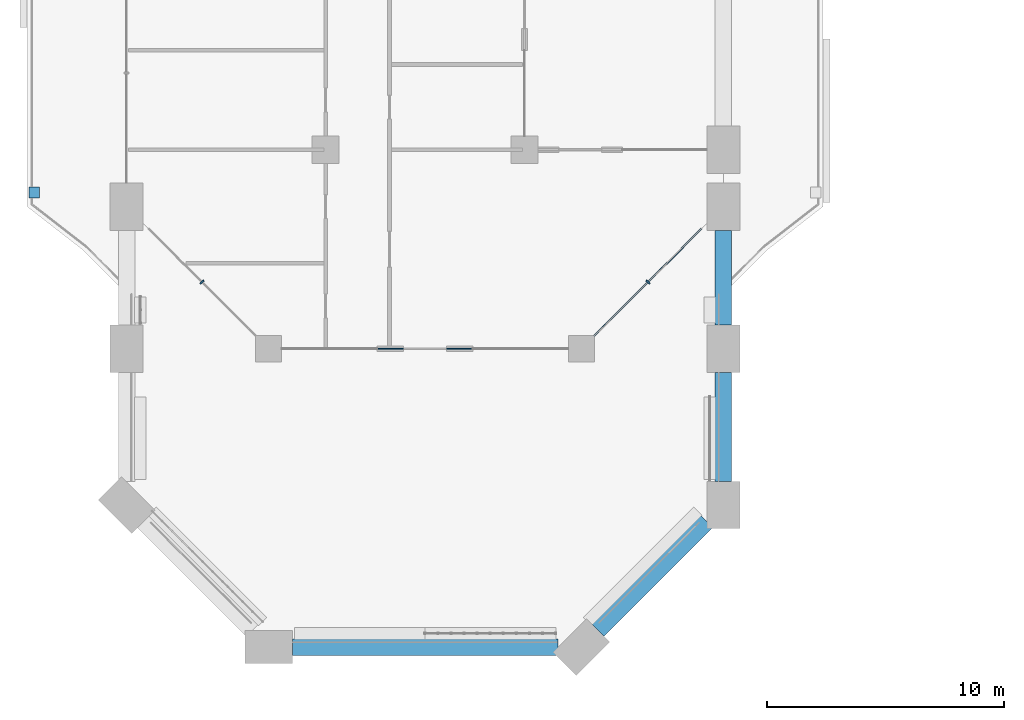
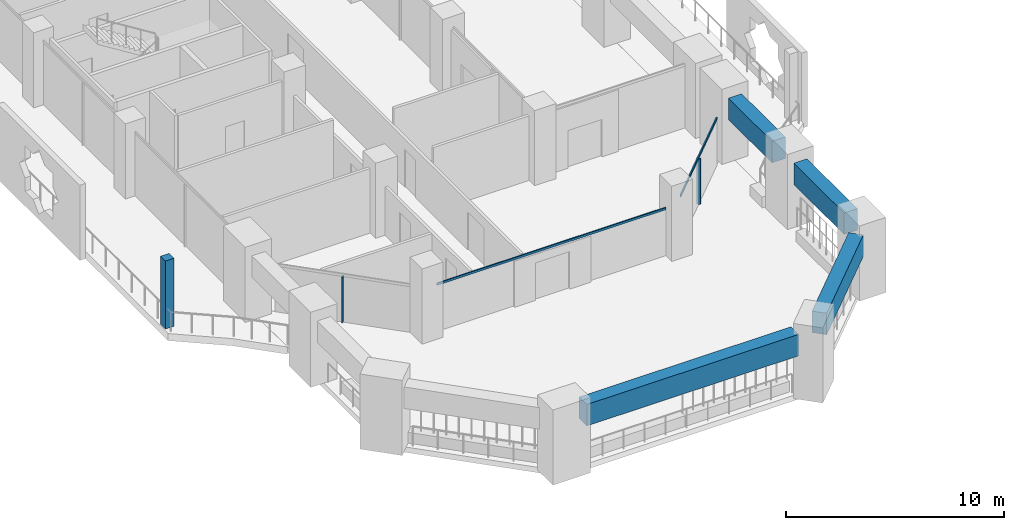
# One storey, part 2 of 25: 5 members, 4 beams, 4 elements without a shape of their own.
"""IFC4 building model written with IfcOpenShell, lengths in metres."""

from ifc_helpers import new_model, si_unit, direction, frame, origin, origin_2d, place, context, subcontext, project, spatial, rectangle, extrude, material, layer, layer_set, material_profile, profile_set, type_object, element, aggregate, save


model = new_model("IFC4")

# Units and contexts
model_context = context("Model", 3, precision=1e-05, world=origin(), true_north=direction((0.0, 1.0)))
body_context = subcontext(model_context, "Body", "Model", "MODEL_VIEW")
ifc_project = project(units=[si_unit("LENGTHUNIT", "METRE"), si_unit("AREAUNIT", "SQUARE_METRE"), si_unit("VOLUMEUNIT", "CUBIC_METRE"), si_unit("PLANEANGLEUNIT", "RADIAN"), si_unit("MASSUNIT", "GRAM", prefix="KILO")], contexts=[model_context])

# Site, building, storey
site_placement = place(None, origin())
site = spatial("IfcSite", under=ifc_project, at=site_placement, CompositionType="ELEMENT")
building_placement = place(site_placement, origin())
building = spatial("IfcBuilding", under=site, at=building_placement, Name="Kawkab Arch Medical Tower", CompositionType="ELEMENT")
storey_placement = place(building_placement, frame((0.0, 0.0, 98.800048828125)))
storey = spatial("IfcBuildingStorey", under=building, at=storey_placement, Name="L22", CompositionType="ELEMENT", Elevation=98.800048828125)

# Curtain wall, member
ifc_material_1 = material(Name="Bronze anodised aluminium curtain wall frame", Category="aluminium")
ifc_layer_1 = layer(ifc_material_1, 0.159912109375)
ifc_layer_set_1 = layer_set([ifc_layer_1], Name="Bronze anodised aluminium curtain wall frame")
curtain_wall_type_1 = type_object("IfcCurtainWallType", Name="CW1 ward curtain wall", PredefinedType="NOTDEFINED", material=ifc_layer_set_1)
placement = place(storey_placement, origin())
curtain_wall_1 = element("IfcCurtainWall", 1, at=placement, inside=storey, type_object=curtain_wall_type_1, Name="CW1 Ward curtain wall R15", PredefinedType="NOTDEFINED")
ifc_material_2 = material(Name="Bronze anodised aluminium curtain wall frame", Category="aluminium")
ifc_material_profile_1 = material_profile(ifc_material_2, rectangle(XDim=0.06005859375, YDim=0.1201171875, at=origin_2d()), Name="AL 60x120")
ifc_profile_set_1 = profile_set([ifc_material_profile_1], Name="Bronze anodised aluminium curtain wall frame")
member_type_1 = type_object("IfcMemberType", Name="CW1 transom 120 x 60", PredefinedType="USERDEFINED", material=ifc_profile_set_1)
member_1_placement = place(storey_placement, frame((6.550048828125, -58.800048828125, 2.639892578125), z_axis=(1.0, 0.0, 0.0), x_axis=(0.0, 1.0, 0.0)))
member_1 = element("IfcMember", 2, at=member_1_placement, type_object=member_type_1, Name="CW1 transom 1", ObjectType="TRANSOM", PredefinedType="USERDEFINED", context=body_context, shape_type="SweptSolid", body=[
    extrude(rectangle(XDim=0.06005859375, YDim=0.1201171875, at=origin_2d()), origin(), (0.0, 0.0, 1.0), 12.099853515625),
])
aggregate(curtain_wall_1, [member_1])

ifc_material_3 = material(Name="Bronze anodised aluminium curtain wall frame", Category="aluminium")
ifc_layer_2 = layer(ifc_material_3, 0.159912109375)
ifc_layer_set_2 = layer_set([ifc_layer_2], Name="Bronze anodised aluminium curtain wall frame")
curtain_wall_type_2 = type_object("IfcCurtainWallType", Name="CW2 chamfer curtain wall", PredefinedType="NOTDEFINED", material=ifc_layer_set_2)
curtain_wall_2 = element("IfcCurtainWall", 3, at=placement, inside=storey, type_object=curtain_wall_type_2, Name="CW2 Chamfer curtain wall R14", PredefinedType="NOTDEFINED")
ifc_material_4 = material(Name="Bronze anodised aluminium curtain wall frame", Category="aluminium")
ifc_material_profile_2 = material_profile(ifc_material_4, rectangle(XDim=0.199951171875, YDim=0.06005859375, at=origin_2d()), Name="AL 60x200")
ifc_profile_set_2 = profile_set([ifc_material_profile_2], Name="Bronze anodised aluminium curtain wall frame")
member_type_2 = type_object("IfcMemberType", Name="CW2 mullion 60 x 200", PredefinedType="MULLION", material=ifc_profile_set_2)
member_2_placement = place(storey_placement, frame((3.190185546875, -55.990234375, 0.0), z_axis=(0.0, 0.0, 1.0), x_axis=(0.707106781187, 0.707106781187, 0.0)))
member_2 = element("IfcMember", 4, at=member_2_placement, type_object=member_type_2, Name="CW2 mullion 1.1", PredefinedType="MULLION", context=body_context, shape_type="SweptSolid", body=[
    extrude(rectangle(XDim=0.199951171875, YDim=0.06005859375, at=origin_2d()), origin(), (0.0, 0.0, 1.0), 2.56005859375),
])
aggregate(curtain_wall_2, [member_2])

# Curtain wall, members
curtain_wall_3 = element("IfcCurtainWall", 5, at=placement, inside=storey, type_object=curtain_wall_type_2, Name="CW2 Chamfer curtain wall R16", PredefinedType="NOTDEFINED")
member_3_placement = place(storey_placement, frame((22.009765625, -55.990234375, 0.0), z_axis=(0.0, 0.0, 1.0), x_axis=(-0.707106781187, 0.707106781187, 0.0)))
member_3 = element("IfcMember", 6, at=member_3_placement, type_object=member_type_2, Name="CW2 mullion 1.1", PredefinedType="MULLION", context=body_context, shape_type="SweptSolid", body=[
    extrude(rectangle(XDim=0.199951171875, YDim=0.06005859375, at=origin_2d()), origin(), (0.0, 0.0, 1.0), 2.56005859375),
])
ifc_material_5 = material(Name="Bronze anodised aluminium curtain wall frame", Category="aluminium")
ifc_material_profile_3 = material_profile(ifc_material_5, rectangle(XDim=0.06005859375, YDim=0.139892578125, at=origin_2d()), Name="AL 60x140")
ifc_profile_set_3 = profile_set([ifc_material_profile_3], Name="Bronze anodised aluminium curtain wall frame")
member_type_3 = type_object("IfcMemberType", Name="CW2 transom 140 x 60", PredefinedType="USERDEFINED", material=ifc_profile_set_3)
member_4_placement = place(storey_placement, frame((19.75, -58.25, 2.6298828125), z_axis=(0.707106781187, 0.707106781187, 0.0), x_axis=(-0.707106781187, 0.707106781187, 0.0)))
member_4 = element("IfcMember", 7, at=member_4_placement, type_object=member_type_3, Name="CW2 transom 1", ObjectType="TRANSOM", PredefinedType="USERDEFINED", context=body_context, shape_type="SweptSolid", body=[
    extrude(rectangle(XDim=0.06005859375, YDim=0.139892578125, at=origin_2d()), origin(), (0.0, 0.0, 1.0), 6.391845703125),
])
aggregate(curtain_wall_3, [member_4, member_3])

# Curtain wall, member
ifc_material_6 = material(Name="Bronze anodised aluminium climber frame, planted", Category="aluminium")
ifc_layer_3 = layer(ifc_material_6, 0.449951171875)
ifc_layer_set_3 = layer_set([ifc_layer_3], Name="Bronze anodised aluminium climber frame, planted")
curtain_wall_type_3 = type_object("IfcCurtainWallType", Name="Planted climber frame", PredefinedType="NOTDEFINED", material=ifc_layer_set_3)
curtain_wall_4 = element("IfcCurtainWall", 8, at=placement, inside=storey, type_object=curtain_wall_type_3, Name="Planted climber frame L22", PredefinedType="NOTDEFINED")
ifc_material_7 = material(Name="Bronze anodised aluminium climber frame, planted", Category="aluminium")
ifc_material_profile_4 = material_profile(ifc_material_7, rectangle(XDim=0.449951171875, YDim=0.449951171875, at=origin_2d()), Name="Post 450x450")
ifc_profile_set_4 = profile_set([ifc_material_profile_4], Name="Bronze anodised aluminium climber frame, planted")
member_type_4 = type_object("IfcMemberType", Name="Planted climber post 450 x 450", PredefinedType="MULLION", material=ifc_profile_set_4)
member_5_placement = place(storey_placement, frame((-3.89990234375, -52.202880859375, 0.0), z_axis=(0.0, 0.0, 1.0), x_axis=(1.0, 0.0, 0.0)))
member_5 = element("IfcMember", 9, at=member_5_placement, type_object=member_type_4, Name="Planted climber post L22.LOG-01-01.1", PredefinedType="MULLION", context=body_context, shape_type="SweptSolid", body=[
    extrude(rectangle(XDim=0.449951171875, YDim=0.449951171875, at=origin_2d()), origin(), (0.0, 0.0, 1.0), 3.800048828125),
])
aggregate(curtain_wall_4, [member_5])

# Beams
ifc_material_8 = material(Name="Concrete C55/67", Category="concrete")
ifc_material_profile_5 = material_profile(ifc_material_8, rectangle(XDim=0.699951171875, YDim=1.199951171875, at=origin_2d()), Name="RC 700x1200")
ifc_profile_set_5 = profile_set([ifc_material_profile_5], Name="Concrete C55/67")
beam_type = type_object("IfcBeamType", Name="RC 700x1200 beam C55/67", PredefinedType="BEAM", material=ifc_profile_set_5)
beam_1_placement = place(storey_placement, frame((25.199951171875, -53.800048828125, 3.0), z_axis=(0.0, -1.0, 0.0), x_axis=(1.0, 0.0, 0.0)))
element("IfcBeam", 10, at=beam_1_placement, inside=storey, type_object=beam_type, Name="Terrace frame beam TF-L22-1-L23-01", PredefinedType="BEAM", context=body_context, shape_type="SweptSolid", body=[
    extrude(rectangle(XDim=0.699951171875, YDim=1.199951171875, at=origin_2d()), origin(), (0.0, 0.0, 1.0), 4.0),
])
beam_2_placement = place(storey_placement, frame((25.199951171875, -59.800048828125, 3.0), z_axis=(0.0, -1.0, 0.0), x_axis=(1.0, 0.0, 0.0)))
element("IfcBeam", 11, at=beam_2_placement, inside=storey, type_object=beam_type, Name="Terrace frame beam TF-L22-1-L23-02", PredefinedType="BEAM", context=body_context, shape_type="SweptSolid", body=[
    extrude(rectangle(XDim=0.699951171875, YDim=1.199951171875, at=origin_2d()), origin(), (0.0, 0.0, 1.0), 4.599853515625),
])
beam_3_placement = place(storey_placement, frame((24.5, -66.10009765625, 3.0), z_axis=(-0.707125574473, -0.707087987401, 0.0), x_axis=(0.707087987401, -0.707125574473, 0.0)))
element("IfcBeam", 12, at=beam_3_placement, inside=storey, type_object=beam_type, Name="Terrace frame beam TF-L22-1-L23-03", PredefinedType="BEAM", context=body_context, shape_type="SweptSolid", body=[
    extrude(rectangle(XDim=0.699951171875, YDim=1.199951171875, at=origin_2d()), origin(), (0.0, 0.0, 1.0), 6.495361328125),
])
beam_4_placement = place(storey_placement, frame((18.210205078125, -71.39990234375, 3.0), z_axis=(-1.0, 0.0, 0.0), x_axis=(0.0, -1.0, 0.0)))
element("IfcBeam", 13, at=beam_4_placement, inside=storey, type_object=beam_type, Name="Terrace frame beam TF-L22-1-L23-04", PredefinedType="BEAM", context=body_context, shape_type="SweptSolid", body=[
    extrude(rectangle(XDim=0.699951171875, YDim=1.199951171875, at=origin_2d()), origin(), (0.0, 0.0, 1.0), 11.210205078125),
])

save(model, "model.ifc")
